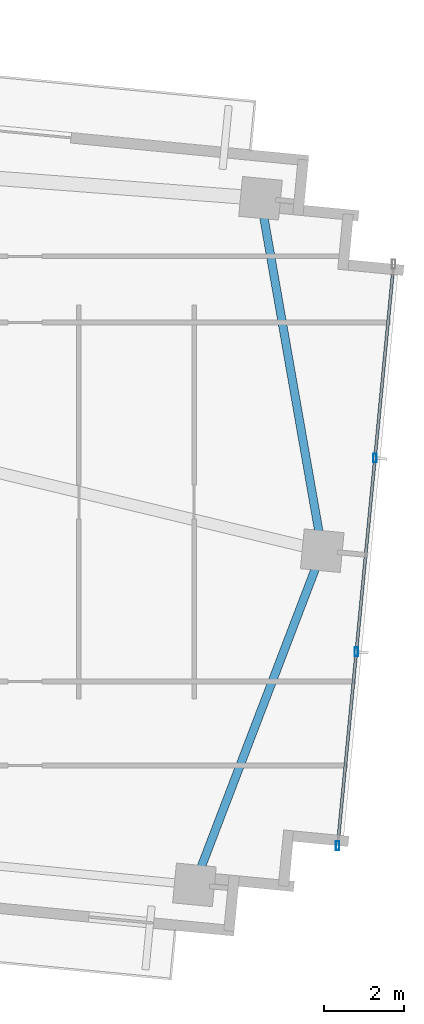
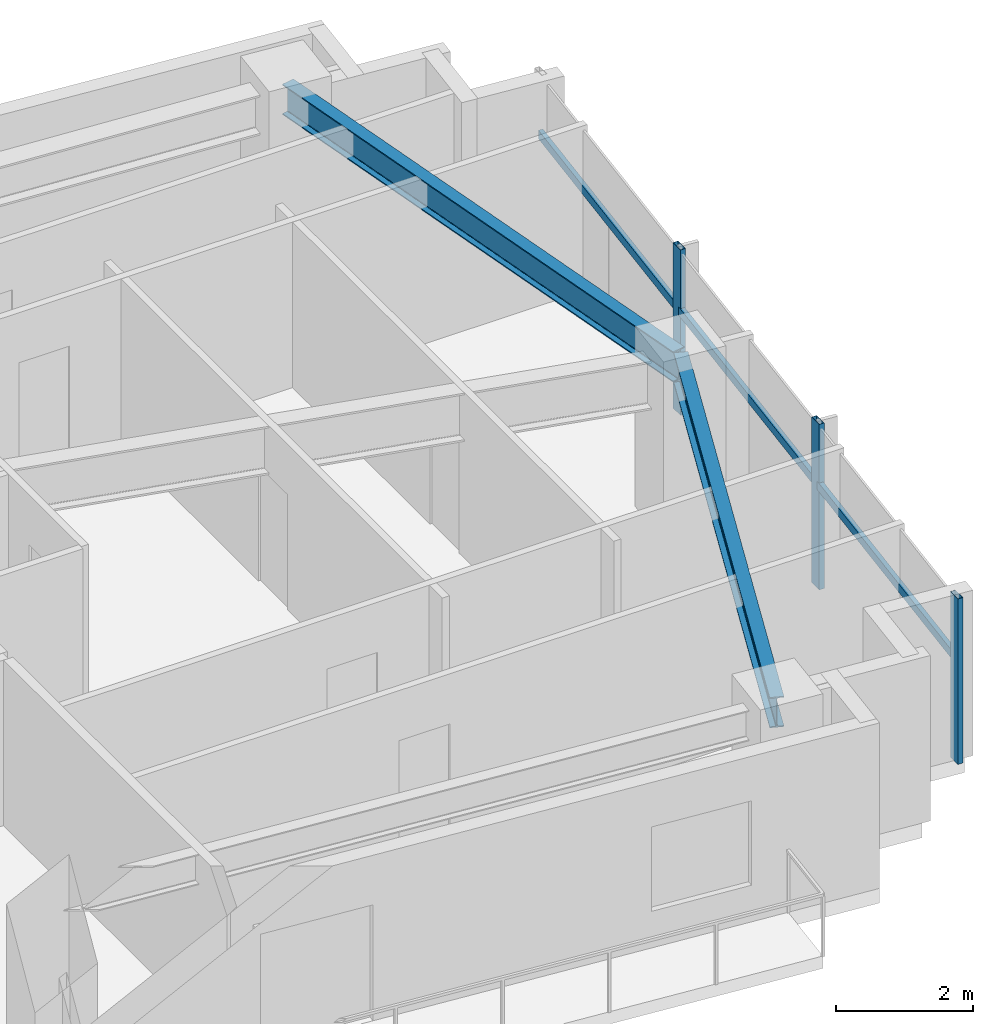
# One storey, part 11 of 20: 6 members, 2 beams, 1 element without a shape of its own.
"""IFC4 building model written with IfcOpenShell, lengths in metres."""

from ifc_helpers import new_model, si_unit, direction, frame, origin, origin_2d, place, context, subcontext, project, spatial, hollow_rectangle, i_section, extrude, source, transform, mapped, material, material_profile, profile_set, type_object, type_shapes, element, aggregate, save


model = new_model("IFC4")

# Units and contexts
model_context = context("Model", 3, precision=1e-05, world=origin(), true_north=direction((0.0, 1.0)))
body_context = subcontext(model_context, "Body", "Model", "MODEL_VIEW")
ifc_project = project(units=[si_unit("LENGTHUNIT", "METRE"), si_unit("AREAUNIT", "SQUARE_METRE"), si_unit("VOLUMEUNIT", "CUBIC_METRE"), si_unit("PLANEANGLEUNIT", "RADIAN"), si_unit("MASSUNIT", "GRAM", prefix="KILO")], contexts=[model_context])

# Site, building, storey
site_placement = place(None, origin())
site = spatial("IfcSite", under=ifc_project, at=site_placement, CompositionType="ELEMENT")
building_placement = place(site_placement, origin())
building = spatial("IfcBuilding", under=site, at=building_placement, Name="Astriad Promenade Condominiums", CompositionType="ELEMENT")
storey_placement = place(building_placement, frame((0.0, 0.0, 153.39990234375)))
storey = spatial("IfcBuildingStorey", under=building, at=storey_placement, Name="L44", CompositionType="ELEMENT", Elevation=153.39990234375)

# Beams
ifc_material_1 = material(Name="Steel ASTM A992 Grade 50", Category="steel")
ifc_material_profile_1 = material_profile(ifc_material_1, i_section(OverallWidth=0.210693359375, OverallDepth=0.53955078125, WebThickness=0.01171875, FlangeThickness=0.018798828125, FilletRadius=0.0166015625, at=origin_2d()), Name="W21X73")
ifc_profile_set_1 = profile_set([ifc_material_profile_1], Name="Steel ASTM A992 Grade 50")
beam_type = type_object("IfcBeamType", Name="STEEL SPANDREL BEAM W21X73", PredefinedType="SPANDREL", material=ifc_profile_set_1)
shared_shape_1 = source(origin(), body_context, "Body", "SweptSolid", [
    extrude(i_section(OverallWidth=0.210693359375, OverallDepth=0.53955078125, WebThickness=0.01171875, FlangeThickness=0.018798828125, FilletRadius=0.0166015625, at=origin_2d()), origin(), (0.0, 0.0, 1.0), 8.8623046875),
])
type_shapes(beam_type, [shared_shape_1])
for number, where, z_axis, x_axis, name in (
    (1, (55.081298828125, 6.033447265625, 2.67041015625), (0.357298632827, 0.933990196405, 0.0), (-0.933990196405, 0.357298632827, 0.0), "Perimeter Spandrel Beam SP-E1-L44"),
    (2, (58.25537109375, 14.3876953125, 2.67041015625), (-0.172532686951, 0.985003792852, 0.0), (-0.985003792852, -0.172532686951, 0.0), "Perimeter Spandrel Beam SP-E2-L44"),
):
    element("IfcBeam", number, at=place(storey_placement, frame(where, z_axis=z_axis, x_axis=x_axis)), inside=storey, type_object=beam_type, Name=name, PredefinedType="SPANDREL", context=body_context, shape_type="MappedRepresentation", body=[
        mapped(shared_shape_1, transform((0.0, 0.0, 0.0), scale=1.0)),
    ])

# Curtain wall, members
ifc_material_2 = material(Name="Anodised aluminium Black Dark Glass Unitised", Category="aluminium")
curtain_wall_type = type_object("IfcCurtainWallType", Name="CW-B34-DARK", PredefinedType="USERDEFINED", material=ifc_material_2)
curtain_wall_placement = place(storey_placement, origin())
curtain_wall = element("IfcCurtainWall", 3, at=curtain_wall_placement, inside=storey, type_object=curtain_wall_type, Name="CW-L44-E", ObjectType="UNITISED_CURTAIN_WALL", PredefinedType="USERDEFINED")
ifc_material_3 = material(Name="Anodised aluminium 6063-T6 Black", Category="aluminium")
ifc_material_profile_2 = material_profile(ifc_material_3, hollow_rectangle(XDim=0.074951171875, YDim=0.14990234375, WallThickness=0.004150390625, at=origin_2d()), Name="ALU-TRN-75X150")
ifc_profile_set_2 = profile_set([ifc_material_profile_2], Name="Anodised aluminium 6063-T6 Black")
member_type_1 = type_object("IfcMemberType", Name="TRN-ALU-TRN-75X150", PredefinedType="USERDEFINED", material=ifc_profile_set_2)
shared_shape_2 = source(origin(), body_context, "Body", "SweptSolid", [
    extrude(hollow_rectangle(XDim=0.074951171875, YDim=0.14990234375, WallThickness=0.004150390625, at=origin_2d()), origin(), (0.0, 0.0, 1.0), 4.86669921875),
])
member_1_placement = place(storey_placement, frame((60.046875, 21.51025390625, 1.822998046875), z_axis=(-0.095867260207, -0.995394127178, 0.0), x_axis=(0.995394127178, -0.095867260207, 0.0)))
member_1 = element("IfcMember", 4, at=member_1_placement, type_object=member_type_1, Name="CW-L44-E-TRN-00-0", ObjectType="TRANSOM", PredefinedType="USERDEFINED", context=body_context, shape_type="MappedRepresentation", body=[
    mapped(shared_shape_2, transform((0.0, 0.0, 0.0), scale=1.0)),
])
member_2_placement = place(storey_placement, frame((59.580322265625, 16.666015625, 1.822998046875), z_axis=(-0.095817554883, -0.995398913088, 0.0), x_axis=(0.995398913088, -0.095817554883, 0.0)))
member_2 = element("IfcMember", 5, at=member_2_placement, type_object=member_type_1, Name="CW-L44-E-TRN-01-0", ObjectType="TRANSOM", PredefinedType="USERDEFINED", context=body_context, shape_type="MappedRepresentation", body=[
    mapped(shared_shape_2, transform((0.0, 0.0, 0.0), scale=1.0)),
])
shared_shape_3 = source(origin(), body_context, "Body", "SweptSolid", [
    extrude(hollow_rectangle(XDim=0.074951171875, YDim=0.14990234375, WallThickness=0.004150390625, at=origin_2d()), origin(), (0.0, 0.0, 1.0), 4.866943359375),
])
type_shapes(member_type_1, [shared_shape_2, shared_shape_3])
member_3_placement = place(storey_placement, frame((59.114013671875, 11.82177734375, 1.822998046875), z_axis=(-0.095862473318, -0.995394588196, 0.0), x_axis=(0.995394588196, -0.095862473318, 0.0)))
member_3 = element("IfcMember", 6, at=member_3_placement, type_object=member_type_1, Name="CW-L44-E-TRN-02-0", ObjectType="TRANSOM", PredefinedType="USERDEFINED", context=body_context, shape_type="MappedRepresentation", body=[
    mapped(shared_shape_3, transform((0.0, 0.0, 0.0), scale=1.0)),
])
ifc_material_profile_3 = material_profile(ifc_material_3, hollow_rectangle(XDim=0.0849609375, YDim=0.219970703125, WallThickness=0.0048828125, at=origin_2d()), Name="ALU-MUL-85X220")
ifc_profile_set_3 = profile_set([ifc_material_profile_3], Name="Anodised aluminium 6063-T6 Black")
member_type_2 = type_object("IfcMemberType", Name="MUL-ALU-MUL-85X220", PredefinedType="MULLION", material=ifc_profile_set_3)
shared_shape_4 = source(origin(), body_context, "Body", "SweptSolid", [
    extrude(hollow_rectangle(XDim=0.0849609375, YDim=0.219970703125, WallThickness=0.0048828125, at=origin_2d()), origin(), (0.0, 0.0, 1.0), 2.940185546875),
])
type_shapes(member_type_2, [shared_shape_4])
member_4_placement = place(storey_placement, frame((59.580322265625, 16.666015625, 0.0), z_axis=(0.0, 0.0, 1.0), x_axis=(1.0, 0.0, 0.0)))
member_4 = element("IfcMember", 7, at=member_4_placement, type_object=member_type_2, Name="CW-L44-E-MUL-01", PredefinedType="MULLION", context=body_context, shape_type="MappedRepresentation", body=[
    mapped(shared_shape_4, transform((0.0, 0.0, 0.0), scale=1.0)),
])
member_5_placement = place(storey_placement, frame((59.114013671875, 11.82177734375, 0.0), z_axis=(0.0, 0.0, 1.0), x_axis=(1.0, 0.0, 0.0)))
member_5 = element("IfcMember", 8, at=member_5_placement, type_object=member_type_2, Name="CW-L44-E-MUL-02", PredefinedType="MULLION", context=body_context, shape_type="MappedRepresentation", body=[
    mapped(shared_shape_4, transform((0.0, 0.0, 0.0), scale=1.0)),
])
member_6_placement = place(storey_placement, frame((58.6474609375, 6.977294921875, 0.0), z_axis=(0.0, 0.0, 1.0), x_axis=(1.0, 0.0, 0.0)))
member_6 = element("IfcMember", 9, at=member_6_placement, type_object=member_type_2, Name="CW-L44-E-MUL-03", PredefinedType="MULLION", context=body_context, shape_type="MappedRepresentation", body=[
    mapped(shared_shape_4, transform((0.0, 0.0, 0.0), scale=1.0)),
])
aggregate(curtain_wall, [member_4, member_5, member_6, member_1, member_2, member_3])

save(model, "model.ifc")
